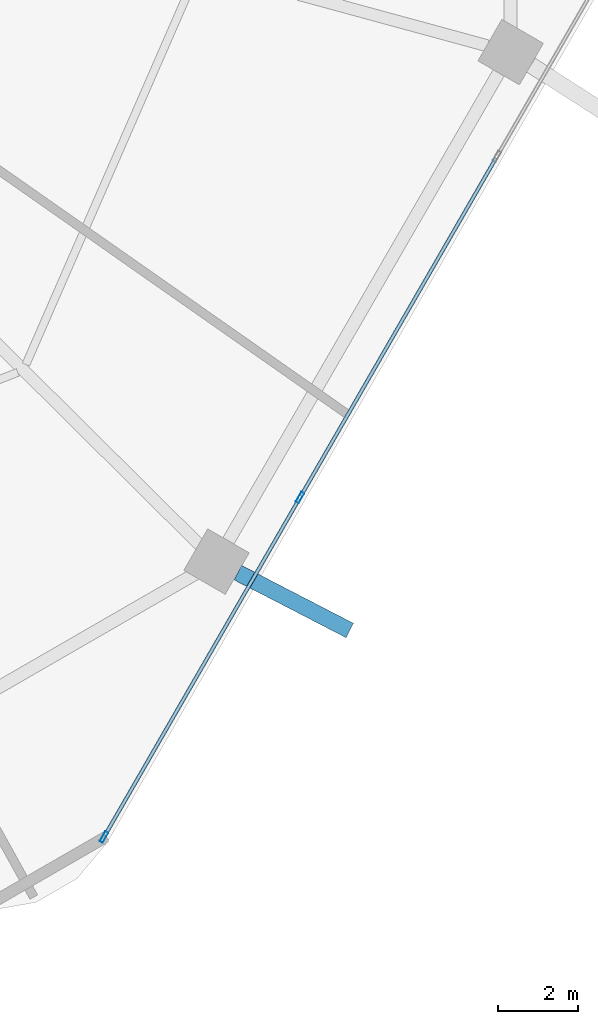
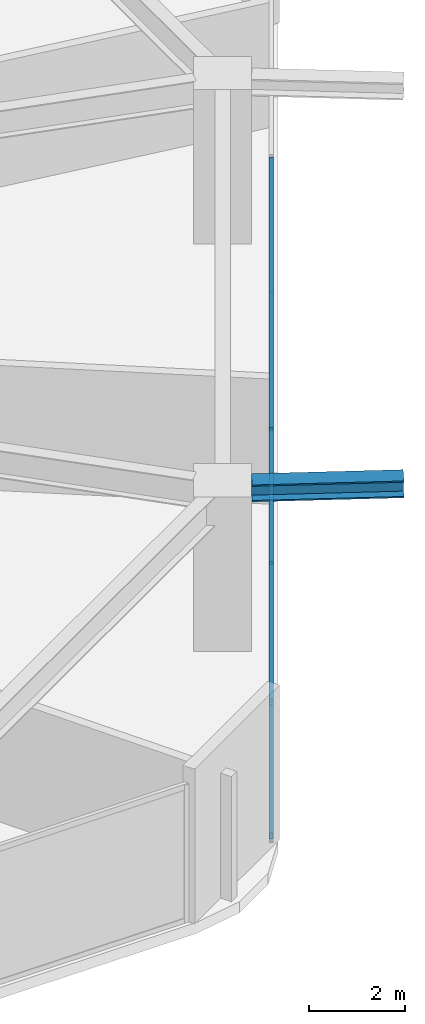
# One storey, part 9 of 26: 6 members, 1 beam, 1 element without a shape of its own.
"""IFC4 building model written with IfcOpenShell, lengths in metres."""

import ifcopenshell
import ifcopenshell.guid

model = None  # the IFC model being written
_history = None  # IfcOwnerHistory: only IFC2X3 demands one
_inside = {}  # id of a spatial element -> (the spatial element, [elements in it])
_under = {}  # id of a project, library or spatial element -> (it, [spatial elements below it])
_declared = {}  # id of a project -> (the project, [libraries it declares])
_typed = {}  # id of a type object -> (the type object, [elements of that type])
_made_of = {}  # id of a material, layer set ... -> (it, [elements and type objects made of it])


def new_model(schema):
    """Start an empty IFC model of exactly this schema.

    Asked for "IFC4X3", IfcOpenShell would pick the latest addendum, in which some entities
    have other attributes; the version numbers below select the first issue.
    IFC2X3 requires an IfcOwnerHistory on every rooted entity: one is made here for all.
    """
    global model, _history
    if schema == "IFC4X3":
        model = ifcopenshell.file(schema_version=(4, 3, 0, 0))
    else:
        model = ifcopenshell.file(schema=schema)
    _inside.clear()
    _under.clear()
    _declared.clear()
    _typed.clear()
    _made_of.clear()
    _history = None
    if model.schema == "IFC2X3":
        org = make("IfcOrganization", Name="unknown")
        user = make(
            "IfcPersonAndOrganization",
            ThePerson=make("IfcPerson", FamilyName="unknown"),
            TheOrganization=org,
        )
        app = make(
            "IfcApplication",
            ApplicationDeveloper=org,
            Version="unknown",
            ApplicationFullName="unknown",
            ApplicationIdentifier="unknown",
        )
        _history = make(
            "IfcOwnerHistory",
            OwningUser=user,
            OwningApplication=app,
            ChangeAction="ADDED",
            CreationDate=0,
        )
    return model


def make(cls, **values):
    """One entity of the class cls with the attributes given. An attribute that is None is left unset."""
    return model.create_entity(
        cls, **{name: value for name, value in values.items() if value is not None}
    )


def rooted(cls, **values):
    """An entity with a GlobalId (a new one), such as an element, a storey or a relation."""
    return make(cls, GlobalId=ifcopenshell.guid.new(), OwnerHistory=_history, **values)


def si_unit(unit_type, name, prefix=None):
    """IfcSIUnit, for example si_unit("LENGTHUNIT", "METRE", prefix="MILLI")."""
    return make("IfcSIUnit", UnitType=unit_type, Prefix=prefix, Name=name)


def assignment(units):
    """IfcUnitAssignment: the units of a project."""
    return None if units is None else make("IfcUnitAssignment", Units=units)


def point(xyz):
    """IfcCartesianPoint."""
    return None if xyz is None else make("IfcCartesianPoint", Coordinates=xyz)


def direction(xyz):
    """IfcDirection."""
    return None if xyz is None else make("IfcDirection", DirectionRatios=xyz)


def frame(location, z_axis=None, x_axis=None):
    """IfcAxis2Placement3D, a coordinate frame: its origin and axes. An axis left out is left unset."""
    return make(
        "IfcAxis2Placement3D",
        Location=point(location),
        Axis=direction(z_axis),
        RefDirection=direction(x_axis),
    )


def frame_2d(location, x_axis=None):
    """IfcAxis2Placement2D, a coordinate frame in the plane: its origin and x axis."""
    return make(
        "IfcAxis2Placement2D", Location=point(location), RefDirection=direction(x_axis)
    )


def origin():
    """The frame at (0, 0, 0) with its axes left unset."""
    return frame((0.0, 0.0, 0.0))


def origin_2d():
    """The frame at (0, 0) in the plane with its x axis left unset."""
    return frame_2d((0.0, 0.0))


def place(relative_to, where):
    """IfcLocalPlacement: puts the frame where relative to a parent placement (None: the world)."""
    return make(
        "IfcLocalPlacement", PlacementRelTo=relative_to, RelativePlacement=where
    )


def context(
    kind, dimensions, precision=None, world=None, true_north=None, identifier=None
):
    """IfcGeometricRepresentationContext, for example the 3D "Model" context."""
    return make(
        "IfcGeometricRepresentationContext",
        ContextIdentifier=identifier,
        ContextType=kind,
        CoordinateSpaceDimension=dimensions,
        Precision=precision,
        WorldCoordinateSystem=world,
        TrueNorth=true_north,
    )


def subcontext(parent, identifier, kind, view, scale=None):
    """IfcGeometricRepresentationSubContext, for example "Body" below "Model"."""
    return make(
        "IfcGeometricRepresentationSubContext",
        ContextIdentifier=identifier,
        ContextType=kind,
        ParentContext=parent,
        TargetScale=scale,
        TargetView=view,
    )


def project(units=None, contexts=None):
    """IfcProject with its units and contexts."""
    return rooted(
        "IfcProject",
        Name="project",
        RepresentationContexts=contexts,
        UnitsInContext=assignment(units),
    )


def spatial(cls, under=None, at=None, **own):
    """A site, building, storey or space (cls), placed at a placement, below another one or the project."""
    s = rooted(cls, ObjectPlacement=at, **own)
    if under is not None:
        _under.setdefault(under.id(), (under, []))[1].append(s)
    return s


def profile(cls, at=None, kind="AREA", **sizes):
    """A parametric profile (cls). Its sizes go by their IFC names, for example OverallWidth=200.0."""
    return make(cls, ProfileType=kind, Position=at, **sizes)


def hollow_rectangle(**sizes):
    """IfcRectangleHollowProfileDef."""
    return profile("IfcRectangleHollowProfileDef", **sizes)


def i_section(**sizes):
    """IfcIShapeProfileDef."""
    return profile("IfcIShapeProfileDef", **sizes)


def extrude(swept, where, along, depth):
    """IfcExtrudedAreaSolid: the profile swept, set in the frame where, extruded along a direction by depth."""
    return make(
        "IfcExtrudedAreaSolid",
        SweptArea=swept,
        Position=where,
        ExtrudedDirection=direction(along),
        Depth=depth,
    )


def shape(context_of_items, identifier, shape_type, items):
    """IfcShapeRepresentation: the items that make up one representation, for example the "Body"."""
    return make(
        "IfcShapeRepresentation",
        ContextOfItems=context_of_items,
        RepresentationIdentifier=identifier,
        RepresentationType=shape_type,
        Items=items,
    )


def material(Name=None, Category=None):
    """IfcMaterial."""
    return make("IfcMaterial", Name=Name, Category=Category)


def material_profile(
    of_material, cross_section, Name=None, Category=None, Priority=None
):
    """IfcMaterialProfile: a cross section and its material."""
    return make(
        "IfcMaterialProfile",
        Name=Name,
        Material=of_material,
        Profile=cross_section,
        Priority=Priority,
        Category=Category,
    )


def profile_set(profiles, Name=None, composite=None):
    """IfcMaterialProfileSet."""
    return make(
        "IfcMaterialProfileSet",
        Name=Name,
        MaterialProfiles=profiles,
        CompositeProfile=composite,
    )


def made_of(thing, what):
    """Note that an element or type object is made of a material, layer set ...; save() writes the relation."""
    if what is not None:
        _made_of.setdefault(what.id(), (what, []))[1].append(thing)
    return thing


def type_object(cls, material=None, **own):
    """A type object (cls), such as IfcWallType, which elements share."""
    return made_of(rooted(cls, **own), material)


def element(
    cls,
    number,
    at=None,
    inside=None,
    cuts=None,
    type_object=None,
    material=None,
    context=None,
    identifier="Body",
    shape_type=None,
    held_by="IfcProductDefinitionShape",
    body=None,
    shapes=None,
    **own,
):
    """One element of the class cls, such as IfcWall. Its Tag is "e" and its number.

    at: its placement. inside: the storey or other place that contains it. cuts: it is an
    opening in that element (IfcRelVoidsElement). A single representation is given by context,
    identifier, shape_type and body (its items); several are given by shapes. held_by: the class
    of the entity that holds the representations. save() writes the other relations.
    """
    e = rooted(cls, Tag="e%d" % number, ObjectPlacement=at, **own)
    if body is not None:
        shapes = [shape(context, identifier, shape_type, body)]
    if shapes is not None:
        e.Representation = make(held_by, Representations=shapes)
    if inside is not None:
        _inside.setdefault(inside.id(), (inside, []))[1].append(e)
    if cuts is not None:
        rooted(
            "IfcRelVoidsElement", RelatingBuildingElement=cuts, RelatedOpeningElement=e
        )
    if type_object is not None:
        _typed.setdefault(type_object.id(), (type_object, []))[1].append(e)
    return made_of(e, material)


def aggregate(whole, parts):
    """IfcRelAggregates: a whole, such as a stair, and the parts it consists of."""
    return rooted("IfcRelAggregates", RelatingObject=whole, RelatedObjects=parts)


def save(model, path):
    """Write the relations noted so far, then the file.

    IfcRelAggregates (storeys below a building ...), IfcRelContainedInSpatialStructure (elements
    in a storey), IfcRelDefinesByType, IfcRelAssociatesMaterial and IfcRelDeclares: one each for
    every whole, place, type object, material and project.
    """
    for whole, parts in _under.values():
        aggregate(whole, parts)
    for where, things in _inside.values():
        rooted(
            "IfcRelContainedInSpatialStructure",
            RelatedElements=things,
            RelatingStructure=where,
        )
    for kind, things in _typed.values():
        rooted("IfcRelDefinesByType", RelatedObjects=things, RelatingType=kind)
    for what, things in _made_of.values():
        rooted("IfcRelAssociatesMaterial", RelatedObjects=things, RelatingMaterial=what)
    for by, libraries in _declared.values():
        rooted("IfcRelDeclares", RelatingContext=by, RelatedDefinitions=libraries)
    model.write(path)


model = new_model("IFC4")

# Units and contexts
model_context = context("Model", 3, precision=1e-05, world=origin(), true_north=direction((0.0, 1.0)))
body_context = subcontext(model_context, "Body", "Model", "MODEL_VIEW")
ifc_project = project(units=[si_unit("LENGTHUNIT", "METRE"), si_unit("AREAUNIT", "SQUARE_METRE"), si_unit("VOLUMEUNIT", "CUBIC_METRE"), si_unit("PLANEANGLEUNIT", "RADIAN"), si_unit("MASSUNIT", "GRAM", prefix="KILO")], contexts=[model_context])

# Site, building, storey
site_placement = place(None, origin())
site = spatial("IfcSite", under=ifc_project, at=site_placement, CompositionType="ELEMENT")
building_placement = place(site_placement, origin())
building = spatial("IfcBuilding", under=site, at=building_placement, Name="Zuhravey Tower", CompositionType="ELEMENT")
storey_placement = place(building_placement, frame((0.0, 0.0, 28.800048828125)))
storey = spatial("IfcBuildingStorey", under=building, at=storey_placement, Name="L07", CompositionType="ELEMENT", Elevation=28.800048828125)

# Curtain wall, members
ifc_material_1 = material(Name="Thermally broken anodised aluminium", Category="aluminium")
curtain_wall_type = type_object("IfcCurtainWallType", Name="School Low-E Unitised Curtain Wall CW1", PredefinedType="NOTDEFINED", material=ifc_material_1)
curtain_wall_placement = place(storey_placement, origin())
curtain_wall = element("IfcCurtainWall", 1, at=curtain_wall_placement, inside=storey, type_object=curtain_wall_type, Name="L07 CW1 CW-L07-F6-1", PredefinedType="NOTDEFINED")
ifc_material_2 = material(Name="Anodised aluminium", Category="aluminium")
ifc_material_profile_1 = material_profile(ifc_material_2, hollow_rectangle(XDim=0.090087890625, YDim=0.284912109375, WallThickness=0.0048828125, at=origin_2d()), Name="ALU-RHS-90x285x5")
ifc_profile_set_1 = profile_set([ifc_material_profile_1], Name="Anodised aluminium")
member_type_1 = type_object("IfcMemberType", Name="Curtain-Wall Mullion 90x180", PredefinedType="MULLION", material=ifc_profile_set_1)
member_1_placement = place(storey_placement, frame((58.612060546875, 13.24853515625, 0.0), z_axis=(0.0, 0.0, 1.0), x_axis=(0.86602552265, -0.499999794119, 0.0)))
member_1 = element("IfcMember", 2, at=member_1_placement, type_object=member_type_1, Name="CW1 mullion 3", PredefinedType="MULLION", context=body_context, shape_type="SweptSolid", body=[
    extrude(hollow_rectangle(XDim=0.090087890625, YDim=0.284912109375, WallThickness=0.0048828125, at=origin_2d()), origin(), (0.0, 0.0, 1.0), 3.491943359375),
])
member_2_placement = place(storey_placement, frame((53.701416015625, 4.742919921875, 0.0), z_axis=(0.0, 0.0, 1.0), x_axis=(0.86602552265, -0.499999794119, 0.0)))
member_2 = element("IfcMember", 3, at=member_2_placement, type_object=member_type_1, Name="CW1 mullion 4", PredefinedType="MULLION", context=body_context, shape_type="SweptSolid", body=[
    extrude(hollow_rectangle(XDim=0.090087890625, YDim=0.284912109375, WallThickness=0.0048828125, at=origin_2d()), origin(), (0.0, 0.0, 1.0), 3.491943359375),
])
ifc_material_profile_2 = material_profile(ifc_material_2, hollow_rectangle(XDim=0.090087890625, YDim=0.14990234375, WallThickness=0.0048828125, at=origin_2d()), Name="ALU-RHS-90x150x5")
ifc_profile_set_2 = profile_set([ifc_material_profile_2], Name="Anodised aluminium")
member_type_2 = type_object("IfcMemberType", Name="Curtain-Wall Transom 90x150", PredefinedType="USERDEFINED", material=ifc_profile_set_2)
member_3_placement = place(storey_placement, frame((63.52294921875, 21.754150390625, 0.044921875), z_axis=(-0.499990498062, -0.866030889661, 0.0), x_axis=(0.866030889661, -0.499990498062, 0.0)))
member_3 = element("IfcMember", 4, at=member_3_placement, type_object=member_type_2, Name="CW1 transom 2.1", ObjectType="TRANSOM", PredefinedType="USERDEFINED", context=body_context, shape_type="SweptSolid", body=[
    extrude(hollow_rectangle(XDim=0.090087890625, YDim=0.14990234375, WallThickness=0.0048828125, at=origin_2d()), origin(), (0.0, 0.0, 1.0), 9.776611328125),
])
member_4_placement = place(storey_placement, frame((63.52294921875, 21.754150390625, 3.447021484375), z_axis=(-0.499990498062, -0.866030889661, 0.0), x_axis=(0.866030889661, -0.499990498062, 0.0)))
member_4 = element("IfcMember", 5, at=member_4_placement, type_object=member_type_2, Name="CW1 transom 2.2", ObjectType="TRANSOM", PredefinedType="USERDEFINED", context=body_context, shape_type="SweptSolid", body=[
    extrude(hollow_rectangle(XDim=0.090087890625, YDim=0.14990234375, WallThickness=0.0048828125, at=origin_2d()), origin(), (0.0, 0.0, 1.0), 9.776611328125),
])
member_5_placement = place(storey_placement, frame((58.589599609375, 13.20947265625, 0.044921875), z_axis=(-0.499989576763, -0.86603142156, 0.0), x_axis=(0.86603142156, -0.499989576763, 0.0)))
member_5 = element("IfcMember", 6, at=member_5_placement, type_object=member_type_2, Name="CW1 transom 3.1", ObjectType="TRANSOM", PredefinedType="USERDEFINED", context=body_context, shape_type="SweptSolid", body=[
    extrude(hollow_rectangle(XDim=0.090087890625, YDim=0.14990234375, WallThickness=0.0048828125, at=origin_2d()), origin(), (0.0, 0.0, 1.0), 9.731201171875),
])
member_6_placement = place(storey_placement, frame((58.589599609375, 13.20947265625, 3.447021484375), z_axis=(-0.499989576763, -0.86603142156, 0.0), x_axis=(0.86603142156, -0.499989576763, 0.0)))
member_6 = element("IfcMember", 7, at=member_6_placement, type_object=member_type_2, Name="CW1 transom 3.2", ObjectType="TRANSOM", PredefinedType="USERDEFINED", context=body_context, shape_type="SweptSolid", body=[
    extrude(hollow_rectangle(XDim=0.090087890625, YDim=0.14990234375, WallThickness=0.0048828125, at=origin_2d()), origin(), (0.0, 0.0, 1.0), 9.731201171875),
])
aggregate(curtain_wall, [member_1, member_2, member_3, member_4, member_5, member_6])

# Beam
ifc_material_3 = material(Name="Steel SM460", Category="steel")
ifc_material_profile_3 = material_profile(ifc_material_3, i_section(OverallWidth=0.406982421875, OverallDepth=0.427978515625, WebThickness=0.02001953125, FlangeThickness=0.034912109375, at=origin_2d()), Name="H-428x407x20x35")
ifc_profile_set_3 = profile_set([ifc_material_profile_3], Name="Steel SM460")
beam_type = type_object("IfcBeamType", Name="Exoskeleton Node Tie Beam H428x407", PredefinedType="BEAM", material=ifc_profile_set_3)
beam_placement = place(storey_placement, frame((57.05615234375, 11.365478515625, 3.7060546875), z_axis=(0.888436426632, -0.458999690449, 0.0), x_axis=(0.458999690449, 0.888436426632, 0.0)))
element("IfcBeam", 8, at=beam_placement, inside=storey, type_object=beam_type, Name="L07 Exoskeleton Node Tie NT1-11", PredefinedType="BEAM", context=body_context, shape_type="SweptSolid", body=[
    extrude(i_section(OverallWidth=0.406982421875, OverallDepth=0.427978515625, WebThickness=0.02001953125, FlangeThickness=0.034912109375, at=origin_2d()), origin(), (0.0, 0.0, 1.0), 3.15478515625),
])

save(model, "model.ifc")
